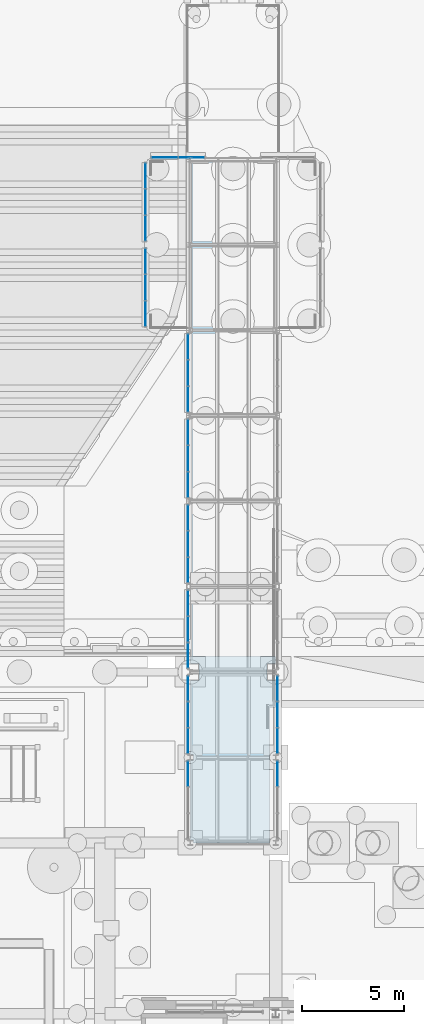
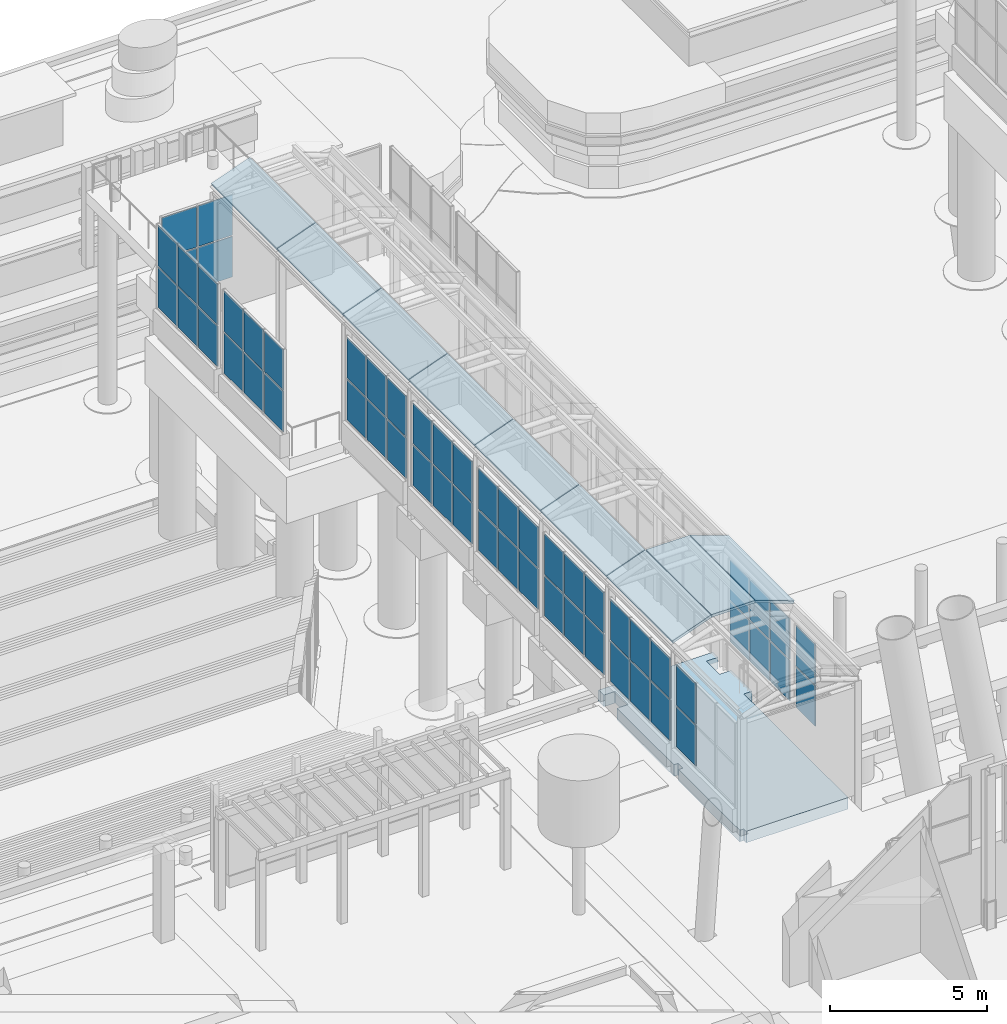
# One storey, part 83 of 222: 56 plates, 10 slabs, 11 elements without a shape of their own.
"""IFC4 building model written with IfcOpenShell, lengths in metres."""

from ifc_helpers import new_model, si_unit, direction, frame, origin, origin_2d, place, context, subcontext, project, spatial, polyline, rectangle, outline, extrude, material, layer, layer_set, type_object, element, aggregate, save


model = new_model("IFC4")

# Units and contexts
model_context = context("Model", 3, precision=1e-05, world=origin(), true_north=direction((0.0, 1.0)))
body_context = subcontext(model_context, "Body", "Model", "MODEL_VIEW")
ifc_project = project(units=[si_unit("LENGTHUNIT", "METRE"), si_unit("AREAUNIT", "SQUARE_METRE"), si_unit("VOLUMEUNIT", "CUBIC_METRE"), si_unit("PLANEANGLEUNIT", "RADIAN"), si_unit("MASSUNIT", "GRAM", prefix="KILO")], contexts=[model_context])

# Site, building, storey
site_placement = place(None, origin())
site = spatial("IfcSite", under=ifc_project, at=site_placement, CompositionType="ELEMENT")
building_placement = place(site_placement, origin())
building = spatial("IfcBuilding", under=site, at=building_placement, Name="Sava Quay Ferry Terminal", CompositionType="ELEMENT")
storey_placement = place(building_placement, origin())
storey = spatial("IfcBuildingStorey", under=building, at=storey_placement, Name="L00", CompositionType="ELEMENT", Elevation=0.0)

# Curtain wall, plates
ifc_material_1 = material(Name="Aluminium and glass curtain wall, double glazed", Category="aluminium")
curtain_wall_type = type_object("IfcCurtainWallType", Name="Curtain wall CW-B gallery", PredefinedType="NOTDEFINED", material=ifc_material_1)
curtain_wall_1_placement = place(storey_placement, origin())
curtain_wall_1 = element("IfcCurtainWall", 1, at=curtain_wall_1_placement, inside=storey, type_object=curtain_wall_type, Name="Curtain wall B1-E L00 bay 1", PredefinedType="NOTDEFINED")
ifc_material_2 = material(Name="Laminated glass, double glazed unit", Category="glass")
ifc_layer_1 = layer(ifc_material_2, 0.02392578125)
ifc_layer_set_1 = layer_set([ifc_layer_1], Name="Laminated glass, double glazed unit")
plate_type = type_object("IfcPlateType", Name="Glass panel 24 double", PredefinedType="CURTAIN_PANEL", material=ifc_layer_set_1)
plate_1_placement = place(storey_placement, frame((50.5, 112.58740234375, 0.9501953125), z_axis=(0.0, 0.0, 1.0), x_axis=(0.0, 1.0, 0.0)))
plate_1 = element("IfcPlate", 2, at=plate_1_placement, type_object=plate_type, Name="CW1 panel 3.1", PredefinedType="CURTAIN_PANEL", context=body_context, shape_type="SweptSolid", body=[
    extrude(rectangle(XDim=1.22509765625, YDim=0.02392578125, at=origin_2d()), origin(), (0.0, 0.0, 1.0), 1.574951171875),
])
plate_2_placement = place(storey_placement, frame((50.5, 112.58740234375, 2.5751953125), z_axis=(0.0, 0.0, 1.0), x_axis=(0.0, 1.0, 0.0)))
plate_2 = element("IfcPlate", 3, at=plate_2_placement, type_object=plate_type, Name="CW1 panel 3.2", PredefinedType="CURTAIN_PANEL", context=body_context, shape_type="SweptSolid", body=[
    extrude(rectangle(XDim=1.22509765625, YDim=0.02392578125, at=origin_2d()), origin(), (0.0, 0.0, 1.0), 1.574951171875),
])
aggregate(curtain_wall_1, [plate_1, plate_2])

curtain_wall_2_placement = place(storey_placement, origin())
curtain_wall_2 = element("IfcCurtainWall", 4, at=curtain_wall_2_placement, inside=storey, type_object=curtain_wall_type, Name="Curtain wall B1-E L00 bay 2", PredefinedType="NOTDEFINED")
plate_3_placement = place(storey_placement, frame((50.5, 114.21240234375, 0.9501953125), z_axis=(0.0, 0.0, 1.0), x_axis=(0.0, 1.0, 0.0)))
plate_3 = element("IfcPlate", 5, at=plate_3_placement, type_object=plate_type, Name="CW2 panel 1.1", PredefinedType="CURTAIN_PANEL", context=body_context, shape_type="SweptSolid", body=[
    extrude(rectangle(XDim=1.22509765625, YDim=0.02392578125, at=origin_2d()), origin(), (0.0, 0.0, 1.0), 1.574951171875),
])
plate_4_placement = place(storey_placement, frame((50.5, 114.21240234375, 2.5751953125), z_axis=(0.0, 0.0, 1.0), x_axis=(0.0, 1.0, 0.0)))
plate_4 = element("IfcPlate", 6, at=plate_4_placement, type_object=plate_type, Name="CW2 panel 1.2", PredefinedType="CURTAIN_PANEL", context=body_context, shape_type="SweptSolid", body=[
    extrude(rectangle(XDim=1.22509765625, YDim=0.02392578125, at=origin_2d()), origin(), (0.0, 0.0, 1.0), 1.574951171875),
])
plate_5_placement = place(storey_placement, frame((50.5, 115.5, 0.9501953125), z_axis=(0.0, 0.0, 1.0), x_axis=(0.0, 1.0, 0.0)))
plate_5 = element("IfcPlate", 7, at=plate_5_placement, type_object=plate_type, Name="CW2 panel 2.1", PredefinedType="CURTAIN_PANEL", context=body_context, shape_type="SweptSolid", body=[
    extrude(rectangle(XDim=1.25, YDim=0.02392578125, at=origin_2d()), origin(), (0.0, 0.0, 1.0), 1.574951171875),
])
plate_6_placement = place(storey_placement, frame((50.5, 115.5, 2.5751953125), z_axis=(0.0, 0.0, 1.0), x_axis=(0.0, 1.0, 0.0)))
plate_6 = element("IfcPlate", 8, at=plate_6_placement, type_object=plate_type, Name="CW2 panel 2.2", PredefinedType="CURTAIN_PANEL", context=body_context, shape_type="SweptSolid", body=[
    extrude(rectangle(XDim=1.25, YDim=0.02392578125, at=origin_2d()), origin(), (0.0, 0.0, 1.0), 1.574951171875),
])
plate_7_placement = place(storey_placement, frame((50.5, 116.78759765625, 0.9501953125), z_axis=(0.0, 0.0, 1.0), x_axis=(0.0, 1.0, 0.0)))
plate_7 = element("IfcPlate", 9, at=plate_7_placement, type_object=plate_type, Name="CW2 panel 3.1", PredefinedType="CURTAIN_PANEL", context=body_context, shape_type="SweptSolid", body=[
    extrude(rectangle(XDim=1.22509765625, YDim=0.02392578125, at=origin_2d()), origin(), (0.0, 0.0, 1.0), 1.574951171875),
])
plate_8_placement = place(storey_placement, frame((50.5, 116.78759765625, 2.5751953125), z_axis=(0.0, 0.0, 1.0), x_axis=(0.0, 1.0, 0.0)))
plate_8 = element("IfcPlate", 10, at=plate_8_placement, type_object=plate_type, Name="CW2 panel 3.2", PredefinedType="CURTAIN_PANEL", context=body_context, shape_type="SweptSolid", body=[
    extrude(rectangle(XDim=1.22509765625, YDim=0.02392578125, at=origin_2d()), origin(), (0.0, 0.0, 1.0), 1.574951171875),
])
aggregate(curtain_wall_2, [plate_3, plate_4, plate_5, plate_6, plate_7, plate_8])

curtain_wall_3_placement = place(storey_placement, origin())
curtain_wall_3 = element("IfcCurtainWall", 11, at=curtain_wall_3_placement, inside=storey, type_object=curtain_wall_type, Name="Curtain wall B1-HN L00 bay 1", PredefinedType="NOTDEFINED")
plate_9_placement = place(storey_placement, frame((44.9375, 142.89990234375, 0.9501953125), z_axis=(0.0, 0.0, 1.0), x_axis=(1.0, 0.0, 0.0)))
plate_9 = element("IfcPlate", 12, at=plate_9_placement, type_object=plate_type, Name="CW9 panel 1.1", PredefinedType="CURTAIN_PANEL", context=body_context, shape_type="SweptSolid", body=[
    extrude(rectangle(XDim=1.27490234375, YDim=0.02392578125, at=origin_2d()), origin(), (0.0, 0.0, 1.0), 1.574951171875),
])
plate_10_placement = place(storey_placement, frame((44.9375, 142.89990234375, 2.5751953125), z_axis=(0.0, 0.0, 1.0), x_axis=(1.0, 0.0, 0.0)))
plate_10 = element("IfcPlate", 13, at=plate_10_placement, type_object=plate_type, Name="CW9 panel 1.2", PredefinedType="CURTAIN_PANEL", context=body_context, shape_type="SweptSolid", body=[
    extrude(rectangle(XDim=1.27490234375, YDim=0.02392578125, at=origin_2d()), origin(), (0.0, 0.0, 1.0), 1.574951171875),
])
plate_11_placement = place(storey_placement, frame((46.262451171875, 142.89990234375, 0.9501953125), z_axis=(0.0, 0.0, 1.0), x_axis=(1.0, 0.0, 0.0)))
plate_11 = element("IfcPlate", 14, at=plate_11_placement, type_object=plate_type, Name="CW9 panel 2.1", PredefinedType="CURTAIN_PANEL", context=body_context, shape_type="SweptSolid", body=[
    extrude(rectangle(XDim=1.27490234375, YDim=0.02392578125, at=origin_2d()), origin(), (0.0, 0.0, 1.0), 1.574951171875),
])
plate_12_placement = place(storey_placement, frame((46.262451171875, 142.89990234375, 2.5751953125), z_axis=(0.0, 0.0, 1.0), x_axis=(1.0, 0.0, 0.0)))
plate_12 = element("IfcPlate", 15, at=plate_12_placement, type_object=plate_type, Name="CW9 panel 2.2", PredefinedType="CURTAIN_PANEL", context=body_context, shape_type="SweptSolid", body=[
    extrude(rectangle(XDim=1.27490234375, YDim=0.02392578125, at=origin_2d()), origin(), (0.0, 0.0, 1.0), 1.574951171875),
])
aggregate(curtain_wall_3, [plate_9, plate_10, plate_11, plate_12])

curtain_wall_4_placement = place(storey_placement, origin())
curtain_wall_4 = element("IfcCurtainWall", 16, at=curtain_wall_4_placement, inside=storey, type_object=curtain_wall_type, Name="Curtain wall B1-HW L00 bay 1", PredefinedType="NOTDEFINED")
plate_13_placement = place(storey_placement, frame((44.0, 135.21240234375, 0.9501953125), z_axis=(0.0, 0.0, 1.0), x_axis=(0.0, 1.0, 0.0)))
plate_13 = element("IfcPlate", 17, at=plate_13_placement, type_object=plate_type, Name="CW11 panel 1.1", PredefinedType="CURTAIN_PANEL", context=body_context, shape_type="SweptSolid", body=[
    extrude(rectangle(XDim=1.22509765625, YDim=0.02392578125, at=origin_2d()), origin(), (0.0, 0.0, 1.0), 1.574951171875),
])
plate_14_placement = place(storey_placement, frame((44.0, 135.21240234375, 2.5751953125), z_axis=(0.0, 0.0, 1.0), x_axis=(0.0, 1.0, 0.0)))
plate_14 = element("IfcPlate", 18, at=plate_14_placement, type_object=plate_type, Name="CW11 panel 1.2", PredefinedType="CURTAIN_PANEL", context=body_context, shape_type="SweptSolid", body=[
    extrude(rectangle(XDim=1.22509765625, YDim=0.02392578125, at=origin_2d()), origin(), (0.0, 0.0, 1.0), 1.574951171875),
])
plate_15_placement = place(storey_placement, frame((44.0, 136.5, 0.9501953125), z_axis=(0.0, 0.0, 1.0), x_axis=(0.0, 1.0, 0.0)))
plate_15 = element("IfcPlate", 19, at=plate_15_placement, type_object=plate_type, Name="CW11 panel 2.1", PredefinedType="CURTAIN_PANEL", context=body_context, shape_type="SweptSolid", body=[
    extrude(rectangle(XDim=1.25, YDim=0.02392578125, at=origin_2d()), origin(), (0.0, 0.0, 1.0), 1.574951171875),
])
plate_16_placement = place(storey_placement, frame((44.0, 136.5, 2.5751953125), z_axis=(0.0, 0.0, 1.0), x_axis=(0.0, 1.0, 0.0)))
plate_16 = element("IfcPlate", 20, at=plate_16_placement, type_object=plate_type, Name="CW11 panel 2.2", PredefinedType="CURTAIN_PANEL", context=body_context, shape_type="SweptSolid", body=[
    extrude(rectangle(XDim=1.25, YDim=0.02392578125, at=origin_2d()), origin(), (0.0, 0.0, 1.0), 1.574951171875),
])
plate_17_placement = place(storey_placement, frame((44.0, 137.78759765625, 0.9501953125), z_axis=(0.0, 0.0, 1.0), x_axis=(0.0, 1.0, 0.0)))
plate_17 = element("IfcPlate", 21, at=plate_17_placement, type_object=plate_type, Name="CW11 panel 3.1", PredefinedType="CURTAIN_PANEL", context=body_context, shape_type="SweptSolid", body=[
    extrude(rectangle(XDim=1.22509765625, YDim=0.02392578125, at=origin_2d()), origin(), (0.0, 0.0, 1.0), 1.574951171875),
])
plate_18_placement = place(storey_placement, frame((44.0, 137.78759765625, 2.5751953125), z_axis=(0.0, 0.0, 1.0), x_axis=(0.0, 1.0, 0.0)))
plate_18 = element("IfcPlate", 22, at=plate_18_placement, type_object=plate_type, Name="CW11 panel 3.2", PredefinedType="CURTAIN_PANEL", context=body_context, shape_type="SweptSolid", body=[
    extrude(rectangle(XDim=1.22509765625, YDim=0.02392578125, at=origin_2d()), origin(), (0.0, 0.0, 1.0), 1.574951171875),
])
aggregate(curtain_wall_4, [plate_13, plate_14, plate_15, plate_16, plate_17, plate_18])

curtain_wall_5_placement = place(storey_placement, origin())
curtain_wall_5 = element("IfcCurtainWall", 23, at=curtain_wall_5_placement, inside=storey, type_object=curtain_wall_type, Name="Curtain wall B1-HW L00 bay 2", PredefinedType="NOTDEFINED")
plate_19_placement = place(storey_placement, frame((44.0, 139.41259765625, 0.9501953125), z_axis=(0.0, 0.0, 1.0), x_axis=(0.0, 1.0, 0.0)))
plate_19 = element("IfcPlate", 24, at=plate_19_placement, type_object=plate_type, Name="CW12 panel 1.1", PredefinedType="CURTAIN_PANEL", context=body_context, shape_type="SweptSolid", body=[
    extrude(rectangle(XDim=1.22509765625, YDim=0.02392578125, at=origin_2d()), origin(), (0.0, 0.0, 1.0), 1.574951171875),
])
plate_20_placement = place(storey_placement, frame((44.0, 139.41259765625, 2.5751953125), z_axis=(0.0, 0.0, 1.0), x_axis=(0.0, 1.0, 0.0)))
plate_20 = element("IfcPlate", 25, at=plate_20_placement, type_object=plate_type, Name="CW12 panel 1.2", PredefinedType="CURTAIN_PANEL", context=body_context, shape_type="SweptSolid", body=[
    extrude(rectangle(XDim=1.22509765625, YDim=0.02392578125, at=origin_2d()), origin(), (0.0, 0.0, 1.0), 1.574951171875),
])
plate_21_placement = place(storey_placement, frame((44.0, 140.699951171875, 0.9501953125), z_axis=(0.0, 0.0, 1.0), x_axis=(0.0, 1.0, 0.0)))
plate_21 = element("IfcPlate", 26, at=plate_21_placement, type_object=plate_type, Name="CW12 panel 2.1", PredefinedType="CURTAIN_PANEL", context=body_context, shape_type="SweptSolid", body=[
    extrude(rectangle(XDim=1.25, YDim=0.02392578125, at=origin_2d()), origin(), (0.0, 0.0, 1.0), 1.574951171875),
])
plate_22_placement = place(storey_placement, frame((44.0, 140.699951171875, 2.5751953125), z_axis=(0.0, 0.0, 1.0), x_axis=(0.0, 1.0, 0.0)))
plate_22 = element("IfcPlate", 27, at=plate_22_placement, type_object=plate_type, Name="CW12 panel 2.2", PredefinedType="CURTAIN_PANEL", context=body_context, shape_type="SweptSolid", body=[
    extrude(rectangle(XDim=1.25, YDim=0.02392578125, at=origin_2d()), origin(), (0.0, 0.0, 1.0), 1.574951171875),
])
plate_23_placement = place(storey_placement, frame((44.0, 141.987548828125, 0.9501953125), z_axis=(0.0, 0.0, 1.0), x_axis=(0.0, 1.0, 0.0)))
plate_23 = element("IfcPlate", 28, at=plate_23_placement, type_object=plate_type, Name="CW12 panel 3.1", PredefinedType="CURTAIN_PANEL", context=body_context, shape_type="SweptSolid", body=[
    extrude(rectangle(XDim=1.22509765625, YDim=0.02392578125, at=origin_2d()), origin(), (0.0, 0.0, 1.0), 1.574951171875),
])
plate_24_placement = place(storey_placement, frame((44.0, 141.987548828125, 2.5751953125), z_axis=(0.0, 0.0, 1.0), x_axis=(0.0, 1.0, 0.0)))
plate_24 = element("IfcPlate", 29, at=plate_24_placement, type_object=plate_type, Name="CW12 panel 3.2", PredefinedType="CURTAIN_PANEL", context=body_context, shape_type="SweptSolid", body=[
    extrude(rectangle(XDim=1.22509765625, YDim=0.02392578125, at=origin_2d()), origin(), (0.0, 0.0, 1.0), 1.574951171875),
])
aggregate(curtain_wall_5, [plate_19, plate_20, plate_21, plate_22, plate_23, plate_24])

curtain_wall_6_placement = place(storey_placement, origin())
curtain_wall_6 = element("IfcCurtainWall", 30, at=curtain_wall_6_placement, inside=storey, type_object=curtain_wall_type, Name="Curtain wall B1-W L00 bay 1", PredefinedType="NOTDEFINED")
plate_25_placement = place(storey_placement, frame((46.10009765625, 112.58740234375, 0.9501953125), z_axis=(0.0, 0.0, 1.0), x_axis=(0.0, 1.0, 0.0)))
plate_25 = element("IfcPlate", 31, at=plate_25_placement, type_object=plate_type, Name="CW13 panel 3.1", PredefinedType="CURTAIN_PANEL", context=body_context, shape_type="SweptSolid", body=[
    extrude(rectangle(XDim=1.22509765625, YDim=0.02392578125, at=origin_2d()), origin(), (0.0, 0.0, 1.0), 1.574951171875),
])
plate_26_placement = place(storey_placement, frame((46.10009765625, 112.58740234375, 2.5751953125), z_axis=(0.0, 0.0, 1.0), x_axis=(0.0, 1.0, 0.0)))
plate_26 = element("IfcPlate", 32, at=plate_26_placement, type_object=plate_type, Name="CW13 panel 3.2", PredefinedType="CURTAIN_PANEL", context=body_context, shape_type="SweptSolid", body=[
    extrude(rectangle(XDim=1.22509765625, YDim=0.02392578125, at=origin_2d()), origin(), (0.0, 0.0, 1.0), 1.574951171875),
])
aggregate(curtain_wall_6, [plate_25, plate_26])

curtain_wall_7_placement = place(storey_placement, origin())
curtain_wall_7 = element("IfcCurtainWall", 33, at=curtain_wall_7_placement, inside=storey, type_object=curtain_wall_type, Name="Curtain wall B1-W L00 bay 2", PredefinedType="NOTDEFINED")
plate_27_placement = place(storey_placement, frame((46.10009765625, 114.21240234375, 0.9501953125), z_axis=(0.0, 0.0, 1.0), x_axis=(0.0, 1.0, 0.0)))
plate_27 = element("IfcPlate", 34, at=plate_27_placement, type_object=plate_type, Name="CW14 panel 1.1", PredefinedType="CURTAIN_PANEL", context=body_context, shape_type="SweptSolid", body=[
    extrude(rectangle(XDim=1.22509765625, YDim=0.02392578125, at=origin_2d()), origin(), (0.0, 0.0, 1.0), 1.574951171875),
])
plate_28_placement = place(storey_placement, frame((46.10009765625, 114.21240234375, 2.5751953125), z_axis=(0.0, 0.0, 1.0), x_axis=(0.0, 1.0, 0.0)))
plate_28 = element("IfcPlate", 35, at=plate_28_placement, type_object=plate_type, Name="CW14 panel 1.2", PredefinedType="CURTAIN_PANEL", context=body_context, shape_type="SweptSolid", body=[
    extrude(rectangle(XDim=1.22509765625, YDim=0.02392578125, at=origin_2d()), origin(), (0.0, 0.0, 1.0), 1.574951171875),
])
plate_29_placement = place(storey_placement, frame((46.10009765625, 115.5, 0.9501953125), z_axis=(0.0, 0.0, 1.0), x_axis=(0.0, 1.0, 0.0)))
plate_29 = element("IfcPlate", 36, at=plate_29_placement, type_object=plate_type, Name="CW14 panel 2.1", PredefinedType="CURTAIN_PANEL", context=body_context, shape_type="SweptSolid", body=[
    extrude(rectangle(XDim=1.25, YDim=0.02392578125, at=origin_2d()), origin(), (0.0, 0.0, 1.0), 1.574951171875),
])
plate_30_placement = place(storey_placement, frame((46.10009765625, 115.5, 2.5751953125), z_axis=(0.0, 0.0, 1.0), x_axis=(0.0, 1.0, 0.0)))
plate_30 = element("IfcPlate", 37, at=plate_30_placement, type_object=plate_type, Name="CW14 panel 2.2", PredefinedType="CURTAIN_PANEL", context=body_context, shape_type="SweptSolid", body=[
    extrude(rectangle(XDim=1.25, YDim=0.02392578125, at=origin_2d()), origin(), (0.0, 0.0, 1.0), 1.574951171875),
])
plate_31_placement = place(storey_placement, frame((46.10009765625, 116.78759765625, 0.9501953125), z_axis=(0.0, 0.0, 1.0), x_axis=(0.0, 1.0, 0.0)))
plate_31 = element("IfcPlate", 38, at=plate_31_placement, type_object=plate_type, Name="CW14 panel 3.1", PredefinedType="CURTAIN_PANEL", context=body_context, shape_type="SweptSolid", body=[
    extrude(rectangle(XDim=1.22509765625, YDim=0.02392578125, at=origin_2d()), origin(), (0.0, 0.0, 1.0), 1.574951171875),
])
plate_32_placement = place(storey_placement, frame((46.10009765625, 116.78759765625, 2.5751953125), z_axis=(0.0, 0.0, 1.0), x_axis=(0.0, 1.0, 0.0)))
plate_32 = element("IfcPlate", 39, at=plate_32_placement, type_object=plate_type, Name="CW14 panel 3.2", PredefinedType="CURTAIN_PANEL", context=body_context, shape_type="SweptSolid", body=[
    extrude(rectangle(XDim=1.22509765625, YDim=0.02392578125, at=origin_2d()), origin(), (0.0, 0.0, 1.0), 1.574951171875),
])
aggregate(curtain_wall_7, [plate_27, plate_28, plate_29, plate_30, plate_31, plate_32])

curtain_wall_8_placement = place(storey_placement, origin())
curtain_wall_8 = element("IfcCurtainWall", 40, at=curtain_wall_8_placement, inside=storey, type_object=curtain_wall_type, Name="Curtain wall B1-W L00 bay 3", PredefinedType="NOTDEFINED")
plate_33_placement = place(storey_placement, frame((46.10009765625, 118.41259765625, 0.9501953125), z_axis=(0.0, 0.0, 1.0), x_axis=(0.0, 1.0, 0.0)))
plate_33 = element("IfcPlate", 41, at=plate_33_placement, type_object=plate_type, Name="CW15 panel 1.1", PredefinedType="CURTAIN_PANEL", context=body_context, shape_type="SweptSolid", body=[
    extrude(rectangle(XDim=1.22509765625, YDim=0.02392578125, at=origin_2d()), origin(), (0.0, 0.0, 1.0), 1.574951171875),
])
plate_34_placement = place(storey_placement, frame((46.10009765625, 118.41259765625, 2.5751953125), z_axis=(0.0, 0.0, 1.0), x_axis=(0.0, 1.0, 0.0)))
plate_34 = element("IfcPlate", 42, at=plate_34_placement, type_object=plate_type, Name="CW15 panel 1.2", PredefinedType="CURTAIN_PANEL", context=body_context, shape_type="SweptSolid", body=[
    extrude(rectangle(XDim=1.22509765625, YDim=0.02392578125, at=origin_2d()), origin(), (0.0, 0.0, 1.0), 1.574951171875),
])
plate_35_placement = place(storey_placement, frame((46.10009765625, 119.699951171875, 0.9501953125), z_axis=(0.0, 0.0, 1.0), x_axis=(0.0, 1.0, 0.0)))
plate_35 = element("IfcPlate", 43, at=plate_35_placement, type_object=plate_type, Name="CW15 panel 2.1", PredefinedType="CURTAIN_PANEL", context=body_context, shape_type="SweptSolid", body=[
    extrude(rectangle(XDim=1.25, YDim=0.02392578125, at=origin_2d()), origin(), (0.0, 0.0, 1.0), 1.574951171875),
])
plate_36_placement = place(storey_placement, frame((46.10009765625, 119.699951171875, 2.5751953125), z_axis=(0.0, 0.0, 1.0), x_axis=(0.0, 1.0, 0.0)))
plate_36 = element("IfcPlate", 44, at=plate_36_placement, type_object=plate_type, Name="CW15 panel 2.2", PredefinedType="CURTAIN_PANEL", context=body_context, shape_type="SweptSolid", body=[
    extrude(rectangle(XDim=1.25, YDim=0.02392578125, at=origin_2d()), origin(), (0.0, 0.0, 1.0), 1.574951171875),
])
plate_37_placement = place(storey_placement, frame((46.10009765625, 120.987548828125, 0.9501953125), z_axis=(0.0, 0.0, 1.0), x_axis=(0.0, 1.0, 0.0)))
plate_37 = element("IfcPlate", 45, at=plate_37_placement, type_object=plate_type, Name="CW15 panel 3.1", PredefinedType="CURTAIN_PANEL", context=body_context, shape_type="SweptSolid", body=[
    extrude(rectangle(XDim=1.22509765625, YDim=0.02392578125, at=origin_2d()), origin(), (0.0, 0.0, 1.0), 1.574951171875),
])
plate_38_placement = place(storey_placement, frame((46.10009765625, 120.987548828125, 2.5751953125), z_axis=(0.0, 0.0, 1.0), x_axis=(0.0, 1.0, 0.0)))
plate_38 = element("IfcPlate", 46, at=plate_38_placement, type_object=plate_type, Name="CW15 panel 3.2", PredefinedType="CURTAIN_PANEL", context=body_context, shape_type="SweptSolid", body=[
    extrude(rectangle(XDim=1.22509765625, YDim=0.02392578125, at=origin_2d()), origin(), (0.0, 0.0, 1.0), 1.574951171875),
])
aggregate(curtain_wall_8, [plate_33, plate_34, plate_35, plate_36, plate_37, plate_38])

curtain_wall_9_placement = place(storey_placement, origin())
curtain_wall_9 = element("IfcCurtainWall", 47, at=curtain_wall_9_placement, inside=storey, type_object=curtain_wall_type, Name="Curtain wall B1-W L00 bay 4", PredefinedType="NOTDEFINED")
plate_39_placement = place(storey_placement, frame((46.10009765625, 122.612548828125, 0.9501953125), z_axis=(0.0, 0.0, 1.0), x_axis=(0.0, 1.0, 0.0)))
plate_39 = element("IfcPlate", 48, at=plate_39_placement, type_object=plate_type, Name="CW16 panel 1.1", PredefinedType="CURTAIN_PANEL", context=body_context, shape_type="SweptSolid", body=[
    extrude(rectangle(XDim=1.22509765625, YDim=0.02392578125, at=origin_2d()), origin(), (0.0, 0.0, 1.0), 1.574951171875),
])
plate_40_placement = place(storey_placement, frame((46.10009765625, 122.612548828125, 2.5751953125), z_axis=(0.0, 0.0, 1.0), x_axis=(0.0, 1.0, 0.0)))
plate_40 = element("IfcPlate", 49, at=plate_40_placement, type_object=plate_type, Name="CW16 panel 1.2", PredefinedType="CURTAIN_PANEL", context=body_context, shape_type="SweptSolid", body=[
    extrude(rectangle(XDim=1.22509765625, YDim=0.02392578125, at=origin_2d()), origin(), (0.0, 0.0, 1.0), 1.574951171875),
])
plate_41_placement = place(storey_placement, frame((46.10009765625, 123.89990234375, 0.9501953125), z_axis=(0.0, 0.0, 1.0), x_axis=(0.0, 1.0, 0.0)))
plate_41 = element("IfcPlate", 50, at=plate_41_placement, type_object=plate_type, Name="CW16 panel 2.1", PredefinedType="CURTAIN_PANEL", context=body_context, shape_type="SweptSolid", body=[
    extrude(rectangle(XDim=1.25, YDim=0.02392578125, at=origin_2d()), origin(), (0.0, 0.0, 1.0), 1.574951171875),
])
plate_42_placement = place(storey_placement, frame((46.10009765625, 123.89990234375, 2.5751953125), z_axis=(0.0, 0.0, 1.0), x_axis=(0.0, 1.0, 0.0)))
plate_42 = element("IfcPlate", 51, at=plate_42_placement, type_object=plate_type, Name="CW16 panel 2.2", PredefinedType="CURTAIN_PANEL", context=body_context, shape_type="SweptSolid", body=[
    extrude(rectangle(XDim=1.25, YDim=0.02392578125, at=origin_2d()), origin(), (0.0, 0.0, 1.0), 1.574951171875),
])
plate_43_placement = place(storey_placement, frame((46.10009765625, 125.1875, 0.9501953125), z_axis=(0.0, 0.0, 1.0), x_axis=(0.0, 1.0, 0.0)))
plate_43 = element("IfcPlate", 52, at=plate_43_placement, type_object=plate_type, Name="CW16 panel 3.1", PredefinedType="CURTAIN_PANEL", context=body_context, shape_type="SweptSolid", body=[
    extrude(rectangle(XDim=1.22509765625, YDim=0.02392578125, at=origin_2d()), origin(), (0.0, 0.0, 1.0), 1.574951171875),
])
plate_44_placement = place(storey_placement, frame((46.10009765625, 125.1875, 2.5751953125), z_axis=(0.0, 0.0, 1.0), x_axis=(0.0, 1.0, 0.0)))
plate_44 = element("IfcPlate", 53, at=plate_44_placement, type_object=plate_type, Name="CW16 panel 3.2", PredefinedType="CURTAIN_PANEL", context=body_context, shape_type="SweptSolid", body=[
    extrude(rectangle(XDim=1.22509765625, YDim=0.02392578125, at=origin_2d()), origin(), (0.0, 0.0, 1.0), 1.574951171875),
])
aggregate(curtain_wall_9, [plate_39, plate_40, plate_41, plate_42, plate_43, plate_44])

curtain_wall_10_placement = place(storey_placement, origin())
curtain_wall_10 = element("IfcCurtainWall", 54, at=curtain_wall_10_placement, inside=storey, type_object=curtain_wall_type, Name="Curtain wall B1-W L00 bay 5", PredefinedType="NOTDEFINED")
plate_45_placement = place(storey_placement, frame((46.10009765625, 126.8125, 0.9501953125), z_axis=(0.0, 0.0, 1.0), x_axis=(0.0, 1.0, 0.0)))
plate_45 = element("IfcPlate", 55, at=plate_45_placement, type_object=plate_type, Name="CW17 panel 1.1", PredefinedType="CURTAIN_PANEL", context=body_context, shape_type="SweptSolid", body=[
    extrude(rectangle(XDim=1.22509765625, YDim=0.02392578125, at=origin_2d()), origin(), (0.0, 0.0, 1.0), 1.574951171875),
])
plate_46_placement = place(storey_placement, frame((46.10009765625, 126.8125, 2.5751953125), z_axis=(0.0, 0.0, 1.0), x_axis=(0.0, 1.0, 0.0)))
plate_46 = element("IfcPlate", 56, at=plate_46_placement, type_object=plate_type, Name="CW17 panel 1.2", PredefinedType="CURTAIN_PANEL", context=body_context, shape_type="SweptSolid", body=[
    extrude(rectangle(XDim=1.22509765625, YDim=0.02392578125, at=origin_2d()), origin(), (0.0, 0.0, 1.0), 1.574951171875),
])
plate_47_placement = place(storey_placement, frame((46.10009765625, 128.10009765625, 0.9501953125), z_axis=(0.0, 0.0, 1.0), x_axis=(0.0, 1.0, 0.0)))
plate_47 = element("IfcPlate", 57, at=plate_47_placement, type_object=plate_type, Name="CW17 panel 2.1", PredefinedType="CURTAIN_PANEL", context=body_context, shape_type="SweptSolid", body=[
    extrude(rectangle(XDim=1.25, YDim=0.02392578125, at=origin_2d()), origin(), (0.0, 0.0, 1.0), 1.574951171875),
])
plate_48_placement = place(storey_placement, frame((46.10009765625, 128.10009765625, 2.5751953125), z_axis=(0.0, 0.0, 1.0), x_axis=(0.0, 1.0, 0.0)))
plate_48 = element("IfcPlate", 58, at=plate_48_placement, type_object=plate_type, Name="CW17 panel 2.2", PredefinedType="CURTAIN_PANEL", context=body_context, shape_type="SweptSolid", body=[
    extrude(rectangle(XDim=1.25, YDim=0.02392578125, at=origin_2d()), origin(), (0.0, 0.0, 1.0), 1.574951171875),
])
plate_49_placement = place(storey_placement, frame((46.10009765625, 129.387451171875, 0.9501953125), z_axis=(0.0, 0.0, 1.0), x_axis=(0.0, 1.0, 0.0)))
plate_49 = element("IfcPlate", 59, at=plate_49_placement, type_object=plate_type, Name="CW17 panel 3.1", PredefinedType="CURTAIN_PANEL", context=body_context, shape_type="SweptSolid", body=[
    extrude(rectangle(XDim=1.22509765625, YDim=0.02392578125, at=origin_2d()), origin(), (0.0, 0.0, 1.0), 1.574951171875),
])
plate_50_placement = place(storey_placement, frame((46.10009765625, 129.387451171875, 2.5751953125), z_axis=(0.0, 0.0, 1.0), x_axis=(0.0, 1.0, 0.0)))
plate_50 = element("IfcPlate", 60, at=plate_50_placement, type_object=plate_type, Name="CW17 panel 3.2", PredefinedType="CURTAIN_PANEL", context=body_context, shape_type="SweptSolid", body=[
    extrude(rectangle(XDim=1.22509765625, YDim=0.02392578125, at=origin_2d()), origin(), (0.0, 0.0, 1.0), 1.574951171875),
])
aggregate(curtain_wall_10, [plate_45, plate_46, plate_47, plate_48, plate_49, plate_50])

curtain_wall_11_placement = place(storey_placement, origin())
curtain_wall_11 = element("IfcCurtainWall", 61, at=curtain_wall_11_placement, inside=storey, type_object=curtain_wall_type, Name="Curtain wall B1-W L00 bay 6", PredefinedType="NOTDEFINED")
plate_51_placement = place(storey_placement, frame((46.10009765625, 131.012451171875, 0.9501953125), z_axis=(0.0, 0.0, 1.0), x_axis=(0.0, 1.0, 0.0)))
plate_51 = element("IfcPlate", 62, at=plate_51_placement, type_object=plate_type, Name="CW18 panel 1.1", PredefinedType="CURTAIN_PANEL", context=body_context, shape_type="SweptSolid", body=[
    extrude(rectangle(XDim=1.22509765625, YDim=0.02392578125, at=origin_2d()), origin(), (0.0, 0.0, 1.0), 1.574951171875),
])
plate_52_placement = place(storey_placement, frame((46.10009765625, 131.012451171875, 2.5751953125), z_axis=(0.0, 0.0, 1.0), x_axis=(0.0, 1.0, 0.0)))
plate_52 = element("IfcPlate", 63, at=plate_52_placement, type_object=plate_type, Name="CW18 panel 1.2", PredefinedType="CURTAIN_PANEL", context=body_context, shape_type="SweptSolid", body=[
    extrude(rectangle(XDim=1.22509765625, YDim=0.02392578125, at=origin_2d()), origin(), (0.0, 0.0, 1.0), 1.574951171875),
])
plate_53_placement = place(storey_placement, frame((46.10009765625, 132.300048828125, 0.9501953125), z_axis=(0.0, 0.0, 1.0), x_axis=(0.0, 1.0, 0.0)))
plate_53 = element("IfcPlate", 64, at=plate_53_placement, type_object=plate_type, Name="CW18 panel 2.1", PredefinedType="CURTAIN_PANEL", context=body_context, shape_type="SweptSolid", body=[
    extrude(rectangle(XDim=1.25, YDim=0.02392578125, at=origin_2d()), origin(), (0.0, 0.0, 1.0), 1.574951171875),
])
plate_54_placement = place(storey_placement, frame((46.10009765625, 132.300048828125, 2.5751953125), z_axis=(0.0, 0.0, 1.0), x_axis=(0.0, 1.0, 0.0)))
plate_54 = element("IfcPlate", 65, at=plate_54_placement, type_object=plate_type, Name="CW18 panel 2.2", PredefinedType="CURTAIN_PANEL", context=body_context, shape_type="SweptSolid", body=[
    extrude(rectangle(XDim=1.25, YDim=0.02392578125, at=origin_2d()), origin(), (0.0, 0.0, 1.0), 1.574951171875),
])
plate_55_placement = place(storey_placement, frame((46.10009765625, 133.58740234375, 0.9501953125), z_axis=(0.0, 0.0, 1.0), x_axis=(0.0, 1.0, 0.0)))
plate_55 = element("IfcPlate", 66, at=plate_55_placement, type_object=plate_type, Name="CW18 panel 3.1", PredefinedType="CURTAIN_PANEL", context=body_context, shape_type="SweptSolid", body=[
    extrude(rectangle(XDim=1.22509765625, YDim=0.02392578125, at=origin_2d()), origin(), (0.0, 0.0, 1.0), 1.574951171875),
])
plate_56_placement = place(storey_placement, frame((46.10009765625, 133.58740234375, 2.5751953125), z_axis=(0.0, 0.0, 1.0), x_axis=(0.0, 1.0, 0.0)))
plate_56 = element("IfcPlate", 67, at=plate_56_placement, type_object=plate_type, Name="CW18 panel 3.2", PredefinedType="CURTAIN_PANEL", context=body_context, shape_type="SweptSolid", body=[
    extrude(rectangle(XDim=1.22509765625, YDim=0.02392578125, at=origin_2d()), origin(), (0.0, 0.0, 1.0), 1.574951171875),
])
aggregate(curtain_wall_11, [plate_51, plate_52, plate_53, plate_54, plate_55, plate_56])

# Slabs
ifc_material_3 = material(Name="Concrete C40/50", Category="concrete")
ifc_layer_2 = layer(ifc_material_3, 0.449951171875)
ifc_layer_set_2 = layer_set([ifc_layer_2], Name="Concrete C40/50")
slab_type_1 = type_object("IfcSlabType", Name="RC deck slab 450", PredefinedType="FLOOR", material=ifc_layer_set_2)
slab_1_placement = place(storey_placement, frame((0.0, 0.0, -0.449951171875)))
element("IfcSlab", 68, at=slab_1_placement, inside=storey, type_object=slab_type_1, Name="B1 floor slab L00", PredefinedType="FLOOR", context=body_context, shape_type="SweptSolid", body=[
    extrude(outline(polyline([(50.39990234375, 115.843017578125), (50.10009765625, 115.843017578125), (50.10009765625, 109.199951171875), (46.35009765625, 109.199951171875), (46.35009765625, 109.35009765625), (46.199951171875, 109.35009765625), (46.199951171875, 113.25), (46.35009765625, 113.25), (46.35009765625, 113.550048828125), (46.199951171875, 113.550048828125), (46.199951171875, 117.179931640625), (46.6201171875, 117.179931640625), (46.6201171875, 118.02001953125), (46.199951171875, 118.02001953125), (46.199951171875, 118.35009765625), (50.39990234375, 118.35009765625), (50.39990234375, 118.02001953125), (49.97998046875, 118.02001953125), (49.97998046875, 117.179931640625), (50.39990234375, 117.179931640625), (50.39990234375, 116.199951171875), (50.39990234375, 115.843017578125)])), origin(), (0.0, 0.0, 1.0), 0.449951171875),
])
ifc_material_4 = material(Name="Cross laminated timber C24", Category="wood")
ifc_layer_3 = layer(ifc_material_4, 0.10009765625)
ifc_layer_set_3 = layer_set([ifc_layer_3], Name="Cross laminated timber C24")
slab_type_2 = type_object("IfcSlabType", Name="Roof deck CLT 100", PredefinedType="ROOF", material=ifc_layer_set_3)
slab_2_placement = place(storey_placement, frame((46.0498046875, 113.409912109375, 4.942138671875), z_axis=(-0.342065251979, 0.0, 0.939676201353), x_axis=(0.939676201353, 0.0, 0.342065251979)))
element("IfcSlab", 69, at=slab_2_placement, inside=storey, type_object=slab_type_2, Name="Boarding gallery B1 roof deck bay 2 facet 1", PredefinedType="ROOF", context=body_context, shape_type="SweptSolid", body=[
    extrude(outline(polyline([(0.0, 0.0), (1.5209486168666146, 0.0), (1.5209486168666146, 4.18017578125), (0.0, 4.18017578125), (0.0, 0.0)])), origin(), (0.0, 0.0, -1.0), 0.10009765625),
])
slab_3_placement = place(storey_placement, frame((47.498291015625, 113.409912109375, 5.4658203125), z_axis=(0.0, 0.0, 1.0), x_axis=(1.0, 0.0, 0.0)))
element("IfcSlab", 70, at=slab_3_placement, inside=storey, type_object=slab_type_2, Name="Boarding gallery B1 roof deck bay 2 facet 2", PredefinedType="ROOF", context=body_context, shape_type="SweptSolid", body=[
    extrude(outline(polyline([(0.0, 0.0), (1.603271484375, 0.0), (1.603271484375, 4.18017578125), (0.0, 4.18017578125), (0.0, 0.0)])), origin(), (0.0, 0.0, -1.0), 0.10009765625),
])
slab_4_placement = place(storey_placement, frame((49.12109375, 113.409912109375, 5.46240234375), z_axis=(0.342065251979, 0.0, 0.939676201353), x_axis=(0.939676201353, 0.0, -0.342065251979)))
element("IfcSlab", 71, at=slab_4_placement, inside=storey, type_object=slab_type_2, Name="Boarding gallery B1 roof deck bay 2 facet 3", PredefinedType="ROOF", context=body_context, shape_type="SweptSolid", body=[
    extrude(outline(polyline([(0.0, 0.0), (1.5209486168666146, 0.0), (1.5209486168666146, 4.18017578125), (0.0, 4.18017578125), (0.0, 0.0)])), origin(), (0.0, 0.0, -1.0), 0.10009765625),
])
for number, where, z_axis, x_axis, name in (
    (72, (46.0498046875, 117.610107421875, 4.942138671875), (-0.342065251979, 0.0, 0.939676201353), (0.939676201353, 0.0, 0.342065251979), "Boarding gallery B1 roof deck bay 3 facet 1"),
    (73, (46.0498046875, 121.81005859375, 4.942138671875), (-0.342065251979, 0.0, 0.939676201353), (0.939676201353, 0.0, 0.342065251979), "Boarding gallery B1 roof deck bay 4 facet 1"),
    (74, (46.0498046875, 126.010009765625, 4.942138671875), (-0.342065251979, 0.0, 0.939676201353), (0.939676201353, 0.0, 0.342065251979), "Boarding gallery B1 roof deck bay 5 facet 1"),
    (75, (46.0498046875, 130.2099609375, 4.942138671875), (-0.342065251979, 0.0, 0.939676201353), (0.939676201353, 0.0, 0.342065251979), "Boarding gallery B1 roof deck bay 6 facet 1"),
):
    element("IfcSlab", number, at=place(storey_placement, frame(where, z_axis=z_axis, x_axis=x_axis)), inside=storey, type_object=slab_type_2, Name=name, PredefinedType="ROOF", context=body_context, shape_type="SweptSolid", body=[
        extrude(outline(polyline([(0.0, 0.0), (1.5209486168666146, 0.0), (1.5209486168666146, 4.179931640625), (0.0, 4.179931640625), (0.0, 0.0)])), origin(), (0.0, 0.0, -1.0), 0.10009765625),
    ])
slab_5_placement = place(storey_placement, frame((46.0498046875, 134.409912109375, 4.942138671875), z_axis=(-0.342065251979, 0.0, 0.939676201353), x_axis=(0.939676201353, 0.0, 0.342065251979)))
element("IfcSlab", 76, at=slab_5_placement, inside=storey, type_object=slab_type_2, Name="Boarding gallery B1 roof deck bay 7 facet 1", PredefinedType="ROOF", context=body_context, shape_type="SweptSolid", body=[
    extrude(outline(polyline([(0.0, 0.0), (1.5209486168666146, 0.0), (1.5209486168666146, 4.18017578125), (0.0, 4.18017578125), (0.0, 0.0)])), origin(), (0.0, 0.0, -1.0), 0.10009765625),
])
slab_6_placement = place(storey_placement, frame((46.0498046875, 138.610107421875, 4.942138671875), z_axis=(-0.342065251979, 0.0, 0.939676201353), x_axis=(0.939676201353, 0.0, 0.342065251979)))
element("IfcSlab", 77, at=slab_6_placement, inside=storey, type_object=slab_type_2, Name="Boarding gallery B1 roof deck bay 8 facet 1", PredefinedType="ROOF", context=body_context, shape_type="SweptSolid", body=[
    extrude(outline(polyline([(0.0, 0.0), (1.5209486168666146, 0.0), (1.5209486168666146, 4.179931640625), (0.0, 4.179931640625), (0.0, 0.0)])), origin(), (0.0, 0.0, -1.0), 0.10009765625),
])

save(model, "model.ifc")
